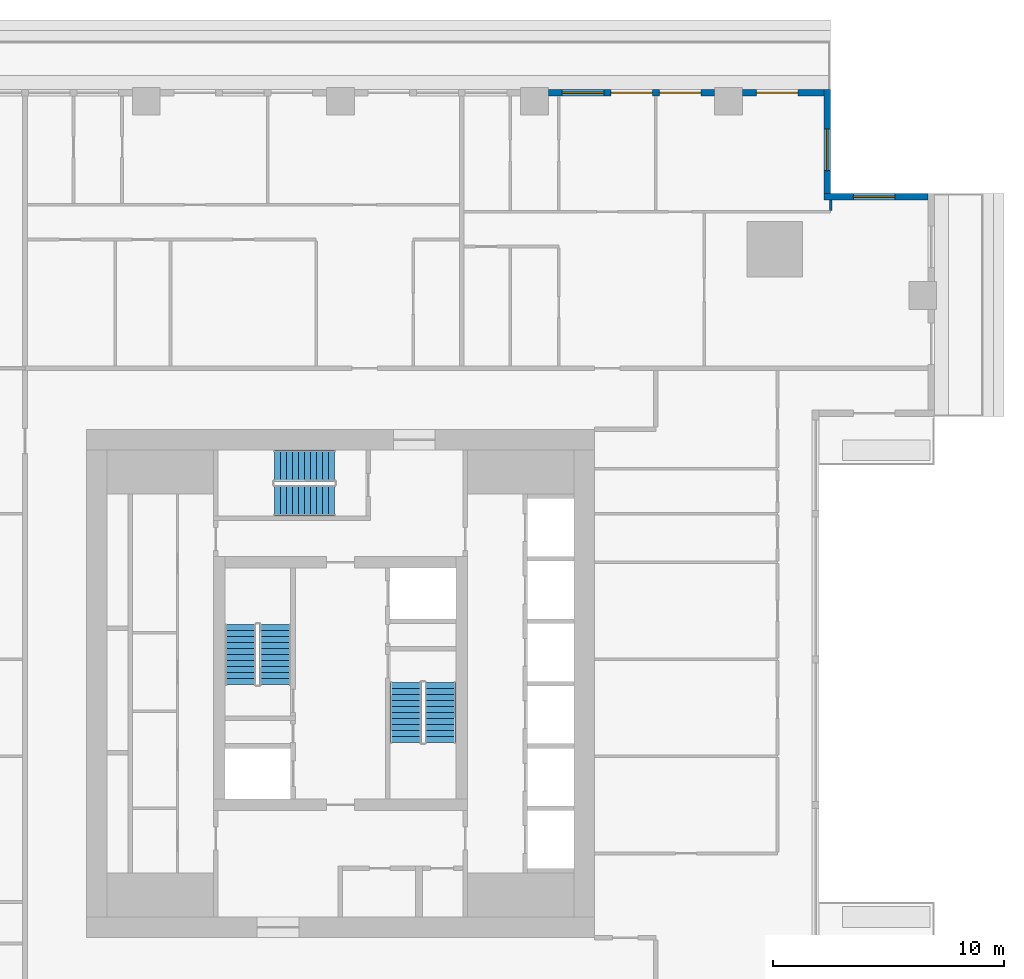
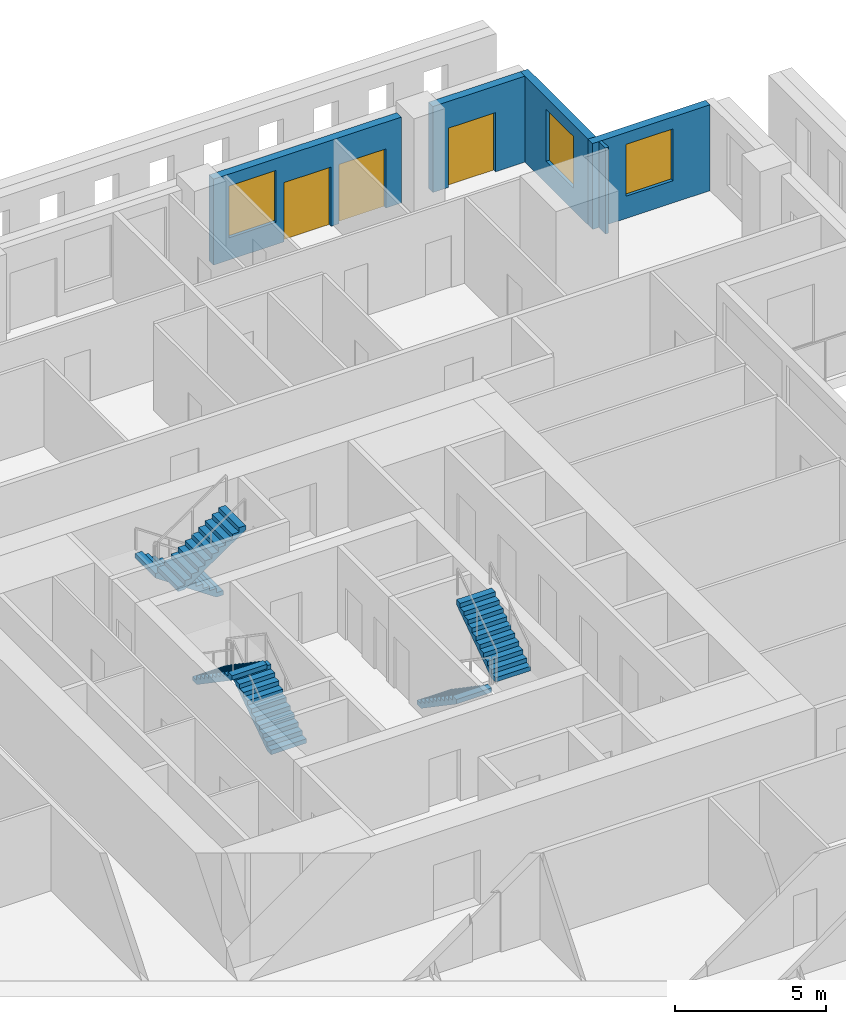
# One storey, part 9 of 15: 6 stair flights, 5 walls, 3 doors, 3 windows, 6 openings, 3 elements without a shape of their own.
"""IFC4 building model written with IfcOpenShell, lengths in metres."""

import ifcopenshell
import ifcopenshell.guid

model = None  # the IFC model being written
_history = None  # IfcOwnerHistory: only IFC2X3 demands one
_inside = {}  # id of a spatial element -> (the spatial element, [elements in it])
_under = {}  # id of a project, library or spatial element -> (it, [spatial elements below it])
_declared = {}  # id of a project -> (the project, [libraries it declares])
_typed = {}  # id of a type object -> (the type object, [elements of that type])
_made_of = {}  # id of a material, layer set ... -> (it, [elements and type objects made of it])


def new_model(schema):
    """Start an empty IFC model of exactly this schema.

    Asked for "IFC4X3", IfcOpenShell would pick the latest addendum, in which some entities
    have other attributes; the version numbers below select the first issue.
    IFC2X3 requires an IfcOwnerHistory on every rooted entity: one is made here for all.
    """
    global model, _history
    if schema == "IFC4X3":
        model = ifcopenshell.file(schema_version=(4, 3, 0, 0))
    else:
        model = ifcopenshell.file(schema=schema)
    _inside.clear()
    _under.clear()
    _declared.clear()
    _typed.clear()
    _made_of.clear()
    _history = None
    if model.schema == "IFC2X3":
        org = make("IfcOrganization", Name="unknown")
        user = make(
            "IfcPersonAndOrganization",
            ThePerson=make("IfcPerson", FamilyName="unknown"),
            TheOrganization=org,
        )
        app = make(
            "IfcApplication",
            ApplicationDeveloper=org,
            Version="unknown",
            ApplicationFullName="unknown",
            ApplicationIdentifier="unknown",
        )
        _history = make(
            "IfcOwnerHistory",
            OwningUser=user,
            OwningApplication=app,
            ChangeAction="ADDED",
            CreationDate=0,
        )
    return model


def make(cls, **values):
    """One entity of the class cls with the attributes given. An attribute that is None is left unset."""
    return model.create_entity(
        cls, **{name: value for name, value in values.items() if value is not None}
    )


def rooted(cls, **values):
    """An entity with a GlobalId (a new one), such as an element, a storey or a relation."""
    return make(cls, GlobalId=ifcopenshell.guid.new(), OwnerHistory=_history, **values)


def si_unit(unit_type, name, prefix=None):
    """IfcSIUnit, for example si_unit("LENGTHUNIT", "METRE", prefix="MILLI")."""
    return make("IfcSIUnit", UnitType=unit_type, Prefix=prefix, Name=name)


def assignment(units):
    """IfcUnitAssignment: the units of a project."""
    return None if units is None else make("IfcUnitAssignment", Units=units)


def point(xyz):
    """IfcCartesianPoint."""
    return None if xyz is None else make("IfcCartesianPoint", Coordinates=xyz)


def direction(xyz):
    """IfcDirection."""
    return None if xyz is None else make("IfcDirection", DirectionRatios=xyz)


def frame(location, z_axis=None, x_axis=None):
    """IfcAxis2Placement3D, a coordinate frame: its origin and axes. An axis left out is left unset."""
    return make(
        "IfcAxis2Placement3D",
        Location=point(location),
        Axis=direction(z_axis),
        RefDirection=direction(x_axis),
    )


def frame_2d(location, x_axis=None):
    """IfcAxis2Placement2D, a coordinate frame in the plane: its origin and x axis."""
    return make(
        "IfcAxis2Placement2D", Location=point(location), RefDirection=direction(x_axis)
    )


def origin():
    """The frame at (0, 0, 0) with its axes left unset."""
    return frame((0.0, 0.0, 0.0))


def place(relative_to, where):
    """IfcLocalPlacement: puts the frame where relative to a parent placement (None: the world)."""
    return make(
        "IfcLocalPlacement", PlacementRelTo=relative_to, RelativePlacement=where
    )


def context(
    kind, dimensions, precision=None, world=None, true_north=None, identifier=None
):
    """IfcGeometricRepresentationContext, for example the 3D "Model" context."""
    return make(
        "IfcGeometricRepresentationContext",
        ContextIdentifier=identifier,
        ContextType=kind,
        CoordinateSpaceDimension=dimensions,
        Precision=precision,
        WorldCoordinateSystem=world,
        TrueNorth=true_north,
    )


def subcontext(parent, identifier, kind, view, scale=None):
    """IfcGeometricRepresentationSubContext, for example "Body" below "Model"."""
    return make(
        "IfcGeometricRepresentationSubContext",
        ContextIdentifier=identifier,
        ContextType=kind,
        ParentContext=parent,
        TargetScale=scale,
        TargetView=view,
    )


def project(units=None, contexts=None):
    """IfcProject with its units and contexts."""
    return rooted(
        "IfcProject",
        Name="project",
        RepresentationContexts=contexts,
        UnitsInContext=assignment(units),
    )


def spatial(cls, under=None, at=None, **own):
    """A site, building, storey or space (cls), placed at a placement, below another one or the project."""
    s = rooted(cls, ObjectPlacement=at, **own)
    if under is not None:
        _under.setdefault(under.id(), (under, []))[1].append(s)
    return s


def polyline(points):
    """IfcPolyline through the points."""
    return make("IfcPolyline", Points=[point(p) for p in points])


def profile(cls, at=None, kind="AREA", **sizes):
    """A parametric profile (cls). Its sizes go by their IFC names, for example OverallWidth=200.0."""
    return make(cls, ProfileType=kind, Position=at, **sizes)


def rectangle(**sizes):
    """IfcRectangleProfileDef."""
    return profile("IfcRectangleProfileDef", **sizes)


def outline(outer, holes=None, kind="AREA"):
    """IfcArbitraryClosedProfileDef: a profile drawn as a closed curve; with holes, ...WithVoids."""
    if holes is None:
        return make("IfcArbitraryClosedProfileDef", ProfileType=kind, OuterCurve=outer)
    return make(
        "IfcArbitraryProfileDefWithVoids",
        ProfileType=kind,
        OuterCurve=outer,
        InnerCurves=holes,
    )


def extrude(swept, where, along, depth):
    """IfcExtrudedAreaSolid: the profile swept, set in the frame where, extruded along a direction by depth."""
    return make(
        "IfcExtrudedAreaSolid",
        SweptArea=swept,
        Position=where,
        ExtrudedDirection=direction(along),
        Depth=depth,
    )


def shape(context_of_items, identifier, shape_type, items):
    """IfcShapeRepresentation: the items that make up one representation, for example the "Body"."""
    return make(
        "IfcShapeRepresentation",
        ContextOfItems=context_of_items,
        RepresentationIdentifier=identifier,
        RepresentationType=shape_type,
        Items=items,
    )


def material(Name=None, Category=None):
    """IfcMaterial."""
    return make("IfcMaterial", Name=Name, Category=Category)


def layer(
    of_material, thickness, ventilated=None, Name=None, Category=None, Priority=None
):
    """IfcMaterialLayer: one layer of a wall or slab, of a material (None: an air gap)."""
    return make(
        "IfcMaterialLayer",
        Material=of_material,
        LayerThickness=thickness,
        IsVentilated=ventilated,
        Name=Name,
        Category=Category,
        Priority=Priority,
    )


def layer_set(layers, Name=None):
    """IfcMaterialLayerSet."""
    return make("IfcMaterialLayerSet", MaterialLayers=layers, LayerSetName=Name)


def made_of(thing, what):
    """Note that an element or type object is made of a material, layer set ...; save() writes the relation."""
    if what is not None:
        _made_of.setdefault(what.id(), (what, []))[1].append(thing)
    return thing


def type_object(cls, material=None, **own):
    """A type object (cls), such as IfcWallType, which elements share."""
    return made_of(rooted(cls, **own), material)


def element(
    cls,
    number,
    at=None,
    inside=None,
    cuts=None,
    type_object=None,
    material=None,
    context=None,
    identifier="Body",
    shape_type=None,
    held_by="IfcProductDefinitionShape",
    body=None,
    shapes=None,
    **own,
):
    """One element of the class cls, such as IfcWall. Its Tag is "e" and its number.

    at: its placement. inside: the storey or other place that contains it. cuts: it is an
    opening in that element (IfcRelVoidsElement). A single representation is given by context,
    identifier, shape_type and body (its items); several are given by shapes. held_by: the class
    of the entity that holds the representations. save() writes the other relations.
    """
    e = rooted(cls, Tag="e%d" % number, ObjectPlacement=at, **own)
    if body is not None:
        shapes = [shape(context, identifier, shape_type, body)]
    if shapes is not None:
        e.Representation = make(held_by, Representations=shapes)
    if inside is not None:
        _inside.setdefault(inside.id(), (inside, []))[1].append(e)
    if cuts is not None:
        rooted(
            "IfcRelVoidsElement", RelatingBuildingElement=cuts, RelatedOpeningElement=e
        )
    if type_object is not None:
        _typed.setdefault(type_object.id(), (type_object, []))[1].append(e)
    return made_of(e, material)


def fill(opening, filler):
    """IfcRelFillsElement: the door or window that sits in an opening."""
    return rooted(
        "IfcRelFillsElement",
        RelatingOpeningElement=opening,
        RelatedBuildingElement=filler,
    )


def aggregate(whole, parts):
    """IfcRelAggregates: a whole, such as a stair, and the parts it consists of."""
    return rooted("IfcRelAggregates", RelatingObject=whole, RelatedObjects=parts)


def save(model, path):
    """Write the relations noted so far, then the file.

    IfcRelAggregates (storeys below a building ...), IfcRelContainedInSpatialStructure (elements
    in a storey), IfcRelDefinesByType, IfcRelAssociatesMaterial and IfcRelDeclares: one each for
    every whole, place, type object, material and project.
    """
    for whole, parts in _under.values():
        aggregate(whole, parts)
    for where, things in _inside.values():
        rooted(
            "IfcRelContainedInSpatialStructure",
            RelatedElements=things,
            RelatingStructure=where,
        )
    for kind, things in _typed.values():
        rooted("IfcRelDefinesByType", RelatedObjects=things, RelatingType=kind)
    for what, things in _made_of.values():
        rooted("IfcRelAssociatesMaterial", RelatedObjects=things, RelatingMaterial=what)
    for by, libraries in _declared.values():
        rooted("IfcRelDeclares", RelatingContext=by, RelatedDefinitions=libraries)
    model.write(path)


model = new_model("IFC4")

# Units and contexts
model_context = context("Model", 3, precision=1e-05, world=origin(), true_north=direction((0.0, 1.0)))
body_context = subcontext(model_context, "Body", "Model", "MODEL_VIEW")
ifc_project = project(units=[si_unit("LENGTHUNIT", "METRE"), si_unit("AREAUNIT", "SQUARE_METRE"), si_unit("VOLUMEUNIT", "CUBIC_METRE"), si_unit("PLANEANGLEUNIT", "RADIAN"), si_unit("MASSUNIT", "GRAM", prefix="KILO")], contexts=[model_context])

# Site, building, storey
site_placement = place(None, origin())
site = spatial("IfcSite", under=ifc_project, at=site_placement, CompositionType="ELEMENT")
building_placement = place(site_placement, origin())
building = spatial("IfcBuilding", under=site, at=building_placement, Name="Khepri Terraces", CompositionType="ELEMENT")
storey_placement = place(building_placement, frame((0.0, 0.0, 219.60009765625)))
storey = spatial("IfcBuildingStorey", under=building, at=storey_placement, Name="L52", CompositionType="ELEMENT", Elevation=219.60009765625)

# Wall, opening, window
ifc_material_1 = material(Name="Precast concrete C50/60 warm stone", Category="masonry")
ifc_layer_1 = layer(ifc_material_1, 0.300048828125, Name="Precast concrete C50/60 warm stone", Category="masonry")
ifc_layer_set_1 = layer_set([ifc_layer_1], Name="Precast concrete C50/60 warm stone")
wall_type_1 = type_object("IfcWallType", Name="WL-EXT-PRECAST-300", PredefinedType="STANDARD", material=ifc_layer_set_1)
wall_1_placement = place(storey_placement, frame((25.419921875, 21.070068359375, 0.0), z_axis=(0.0, 0.0, 1.0), x_axis=(-1.0, 0.0, 0.0)))
wall_1 = element("IfcWall", 1, at=wall_1_placement, inside=storey, type_object=wall_type_1, Name="External wall L52 N", PredefinedType="STANDARD", context=body_context, shape_type="SweptSolid", body=[
    extrude(rectangle(XDim=4.5, YDim=0.300048828125, at=frame_2d((2.25, 0.0))), origin(), (0.0, 0.0, 1.0), 3.47998046875),
])
opening_1_placement = place(wall_1_placement, frame((1.419921875, 0.0, 0.89990234375)))
opening_1 = element("IfcOpeningElement", 2, at=opening_1_placement, cuts=wall_1, Name="Opening W1", PredefinedType="OPENING", context=body_context, shape_type="SweptSolid", body=[
    extrude(rectangle(XDim=1.800048828125, YDim=2.10009765625, at=frame_2d((0.89990234375, 1.050048828125))), frame((0.0, 0.16015625, 0.0), z_axis=(0.0, -1.0, 0.0), x_axis=(1.0, 0.0, 0.0)), (0.0, 0.0, 1.0), 0.320068359375),
])
ifc_material_2 = material(Name="Clear glass", Category="glass")
window_type = type_object("IfcWindowType", Name="WIN-RES-1800x2100", PartitioningType="SINGLE_PANEL", PredefinedType="WINDOW", material=ifc_material_2)
window_1_placement = place(opening_1_placement, origin())
window_1 = element("IfcWindow", 3, at=window_1_placement, inside=storey, type_object=window_type, Name="Window L52 N", OverallHeight=2.10009765625, OverallWidth=1.800048828125, PartitioningType="SINGLE_PANEL", PredefinedType="WINDOW", context=body_context, shape_type="SweptSolid", body=[
    extrude(rectangle(XDim=1.800048828125, YDim=2.10009765625, at=frame_2d((0.89990234375, 1.050048828125))), frame((0.0, 0.030029296875, 0.0), z_axis=(0.0, -1.0, 0.0), x_axis=(1.0, 0.0, 0.0)), (0.0, 0.0, 1.0), 0.06005859375),
])
fill(opening_1, window_1)

wall_2_placement = place(storey_placement, frame((21.070068359375, 21.219970703125, 0.0), z_axis=(0.0, 0.0, 1.0), x_axis=(0.0, 1.0, 0.0)))
wall_2 = element("IfcWall", 4, at=wall_2_placement, inside=storey, type_object=wall_type_1, Name="External wall L52 E", PredefinedType="STANDARD", context=body_context, shape_type="SweptSolid", body=[
    extrude(rectangle(XDim=4.5, YDim=0.300048828125, at=frame_2d((2.25, 0.0))), origin(), (0.0, 0.0, 1.0), 3.47998046875),
])
opening_2_placement = place(wall_2_placement, frame((0.97998046875, 0.0, 0.89990234375)))
opening_2 = element("IfcOpeningElement", 5, at=opening_2_placement, cuts=wall_2, Name="Opening W1", PredefinedType="OPENING", context=body_context, shape_type="SweptSolid", body=[
    extrude(rectangle(XDim=1.800048828125, YDim=2.10009765625, at=frame_2d((0.89990234375, 1.050048828125))), frame((0.0, 0.16015625, 0.0), z_axis=(0.0, -1.0, 0.0), x_axis=(1.0, 0.0, 0.0)), (0.0, 0.0, 1.0), 0.320068359375),
])
window_2_placement = place(opening_2_placement, origin())
window_2 = element("IfcWindow", 6, at=window_2_placement, inside=storey, type_object=window_type, Name="Window L52 E", OverallHeight=2.10009765625, OverallWidth=1.800048828125, PartitioningType="SINGLE_PANEL", PredefinedType="WINDOW", context=body_context, shape_type="SweptSolid", body=[
    extrude(rectangle(XDim=1.800048828125, YDim=2.10009765625, at=frame_2d((0.89990234375, 1.050048828125))), frame((0.0, 0.030029296875, 0.0), z_axis=(0.0, -1.0, 0.0), x_axis=(1.0, 0.0, 0.0)), (0.0, 0.0, 1.0), 0.06005859375),
])
fill(opening_2, window_2)

# Wall, opening, door
wall_3_placement = place(storey_placement, frame((20.919921875, 25.570068359375, 0.0), z_axis=(0.0, 0.0, 1.0), x_axis=(-1.0, 0.0, 0.0)))
wall_3 = element("IfcWall", 7, at=wall_3_placement, inside=storey, type_object=wall_type_1, Name="External wall L52 N", PredefinedType="STANDARD", context=body_context, shape_type="SweptSolid", body=[
    extrude(rectangle(XDim=3.52001953125, YDim=0.300048828125, at=frame_2d((1.760009765625, 0.0))), origin(), (0.0, 0.0, 1.0), 3.47998046875),
])
opening_3_placement = place(wall_3_placement, frame((1.1201171875, 0.0, 0.0)))
opening_3 = element("IfcOpeningElement", 8, at=opening_3_placement, cuts=wall_3, Name="Opening ED-L52-06", PredefinedType="OPENING", context=body_context, shape_type="SweptSolid", body=[
    extrude(rectangle(XDim=1.800048828125, YDim=2.39990234375, at=frame_2d((0.89990234375, 1.199951171875))), frame((0.0, 0.16015625, 0.0), z_axis=(0.0, -1.0, 0.0), x_axis=(1.0, 0.0, 0.0)), (0.0, 0.0, 1.0), 0.320068359375),
])
ifc_material_3 = material(Name="Anodised aluminium bronze glazed door", Category="aluminium")
door_type = type_object("IfcDoorType", Name="DR-BAL-SLIDE-1800x2400", OperationType="NOTDEFINED", PredefinedType="DOOR", material=ifc_material_3)
door_1_placement = place(opening_3_placement, origin())
door_1 = element("IfcDoor", 9, at=door_1_placement, inside=storey, type_object=door_type, Name="Balcony door L52 N", OperationType="SLIDING_TO_RIGHT", OverallHeight=2.39990234375, OverallWidth=1.800048828125, PredefinedType="DOOR", context=body_context, shape_type="SweptSolid", body=[
    extrude(rectangle(XDim=1.800048828125, YDim=2.39990234375, at=frame_2d((0.89990234375, 1.199951171875))), frame((0.0, 0.02490234375, 0.0), z_axis=(0.0, -1.0, 0.0), x_axis=(1.0, 0.0, 0.0)), (0.0, 0.0, 1.0), 0.050048828125),
])
fill(opening_3, door_1)

# Wall, openings, doors, window
wall_4_placement = place(storey_placement, frame((16.199951171875, 25.570068359375, 0.0), z_axis=(0.0, 0.0, 1.0), x_axis=(-1.0, 0.0, 0.0)))
wall_4 = element("IfcWall", 10, at=wall_4_placement, inside=storey, type_object=wall_type_1, Name="External wall L52 N", PredefinedType="STANDARD", context=body_context, shape_type="SweptSolid", body=[
    extrude(rectangle(XDim=7.199951171875, YDim=0.300048828125, at=frame_2d((3.60009765625, 0.0))), origin(), (0.0, 0.0, 1.0), 3.47998046875),
])
opening_4_placement = place(wall_4_placement, frame((0.60009765625, 0.0, 0.0)))
opening_4 = element("IfcOpeningElement", 11, at=opening_4_placement, cuts=wall_4, Name="Opening ED-L52-07", PredefinedType="OPENING", context=body_context, shape_type="SweptSolid", body=[
    extrude(rectangle(XDim=1.800048828125, YDim=2.39990234375, at=frame_2d((0.89990234375, 1.199951171875))), frame((0.0, 0.16015625, 0.0), z_axis=(0.0, -1.0, 0.0), x_axis=(1.0, 0.0, 0.0)), (0.0, 0.0, 1.0), 0.320068359375),
])
opening_5_placement = place(wall_4_placement, frame((2.699951171875, 0.0, 0.0)))
opening_5 = element("IfcOpeningElement", 12, at=opening_5_placement, cuts=wall_4, Name="Opening ED-L52-08", PredefinedType="OPENING", context=body_context, shape_type="SweptSolid", body=[
    extrude(rectangle(XDim=1.800048828125, YDim=2.39990234375, at=frame_2d((0.89990234375, 1.199951171875))), frame((0.0, 0.16015625, 0.0), z_axis=(0.0, -1.0, 0.0), x_axis=(1.0, 0.0, 0.0)), (0.0, 0.0, 1.0), 0.320068359375),
])
opening_6_placement = place(wall_4_placement, frame((4.800048828125, 0.0, 0.89990234375)))
opening_6 = element("IfcOpeningElement", 13, at=opening_6_placement, cuts=wall_4, Name="Opening W1", PredefinedType="OPENING", context=body_context, shape_type="SweptSolid", body=[
    extrude(rectangle(XDim=1.800048828125, YDim=2.10009765625, at=frame_2d((0.89990234375, 1.050048828125))), frame((0.0, 0.16015625, 0.0), z_axis=(0.0, -1.0, 0.0), x_axis=(1.0, 0.0, 0.0)), (0.0, 0.0, 1.0), 0.320068359375),
])
door_2_placement = place(opening_4_placement, origin())
door_2 = element("IfcDoor", 14, at=door_2_placement, inside=storey, type_object=door_type, Name="Balcony door L52 N", OperationType="SLIDING_TO_LEFT", OverallHeight=2.39990234375, OverallWidth=1.800048828125, PredefinedType="DOOR", context=body_context, shape_type="SweptSolid", body=[
    extrude(rectangle(XDim=1.800048828125, YDim=2.39990234375, at=frame_2d((0.89990234375, 1.199951171875))), frame((0.0, 0.02490234375, 0.0), z_axis=(0.0, -1.0, 0.0), x_axis=(1.0, 0.0, 0.0)), (0.0, 0.0, 1.0), 0.050048828125),
])
fill(opening_4, door_2)
door_3_placement = place(opening_5_placement, origin())
door_3 = element("IfcDoor", 15, at=door_3_placement, inside=storey, type_object=door_type, Name="Balcony door L52 N", OperationType="SLIDING_TO_RIGHT", OverallHeight=2.39990234375, OverallWidth=1.800048828125, PredefinedType="DOOR", context=body_context, shape_type="SweptSolid", body=[
    extrude(rectangle(XDim=1.800048828125, YDim=2.39990234375, at=frame_2d((0.89990234375, 1.199951171875))), frame((0.0, 0.02490234375, 0.0), z_axis=(0.0, -1.0, 0.0), x_axis=(1.0, 0.0, 0.0)), (0.0, 0.0, 1.0), 0.050048828125),
])
fill(opening_5, door_3)
window_3_placement = place(opening_6_placement, origin())
window_3 = element("IfcWindow", 16, at=window_3_placement, inside=storey, type_object=window_type, Name="Window L52 N", OverallHeight=2.10009765625, OverallWidth=1.800048828125, PartitioningType="SINGLE_PANEL", PredefinedType="WINDOW", context=body_context, shape_type="SweptSolid", body=[
    extrude(rectangle(XDim=1.800048828125, YDim=2.10009765625, at=frame_2d((0.89990234375, 1.050048828125))), frame((0.0, 0.030029296875, 0.0), z_axis=(0.0, -1.0, 0.0), x_axis=(1.0, 0.0, 0.0)), (0.0, 0.0, 1.0), 0.06005859375),
])
fill(opening_6, window_3)

# Wall
ifc_material_4 = material(Name="Gypsum plasterboard partition")
ifc_layer_2 = layer(ifc_material_4, 0.1201171875, Name="Gypsum plasterboard partition")
ifc_layer_set_2 = layer_set([ifc_layer_2], Name="Gypsum plasterboard partition")
wall_type_2 = type_object("IfcWallType", Name="WL-PART-120", PredefinedType="PARTITIONING", material=ifc_layer_set_2)
wall_5_placement = place(storey_placement, frame((21.218994140625, 20.47998046875, 0.0), z_axis=(0.0, 0.0, 1.0), x_axis=(0.0, 1.0, 0.0)))
element("IfcWall", 17, at=wall_5_placement, inside=storey, type_object=wall_type_2, Name="Partition P-088 L52", PredefinedType="PARTITIONING", context=body_context, shape_type="SweptSolid", body=[
    extrude(rectangle(XDim=0.44091796875, YDim=0.1201171875, at=frame_2d((0.220458984375, 0.0))), origin(), (0.0, 0.0, 1.0), 3.47998046875),
])

# Stair, stair flights
ifc_material_5 = material(Name="Concrete C40/50", Category="concrete")
stair_type = type_object("IfcStairType", Name="STAIR-RC-22R", PredefinedType="HALF_TURN_STAIR", material=ifc_material_5)
stair_1_placement = place(storey_placement, origin())
stair_1 = element("IfcStair", 18, at=stair_1_placement, inside=storey, type_object=stair_type, Name="L52 Exit Stair ST-1", PredefinedType="HALF_TURN_STAIR")
stair_flight_type = type_object("IfcStairFlightType", Name="SFL-RC-177.3", PredefinedType="STRAIGHT", material=ifc_material_5)
stair_flight_1_placement = place(storey_placement, frame((-2.824951171875, -0.050048828125, 0.0), z_axis=(0.0, 0.0, 1.0), x_axis=(0.0, 1.0, 0.0)))
stair_flight_1 = element("IfcStairFlight", 19, at=stair_flight_1_placement, type_object=stair_flight_type, Name="ST-1 flight 1", NumberOfRisers=11, NumberOfTreads=10, PredefinedType="STRAIGHT", RiserHeight=0.177272727, TreadLength=0.26, context=body_context, shape_type="SweptSolid", body=[
    extrude(outline(polyline([(0.0, 0.0), (0.0, 0.17724609375), (0.260009765625, 0.17724609375), (0.260009765625, 0.3544921875), (0.52001953125, 0.3544921875), (0.52001953125, 0.53173828125), (0.780029296875, 0.53173828125), (0.780029296875, 0.708984375), (1.0400390625, 0.708984375), (1.0400390625, 0.886474609375), (1.300048828125, 0.886474609375), (1.300048828125, 1.063720703125), (1.56005859375, 1.063720703125), (1.56005859375, 1.240966796875), (1.820068359375, 1.240966796875), (1.820068359375, 1.418212890625), (2.080078125, 1.418212890625), (2.080078125, 1.595458984375), (2.340087890625, 1.595458984375), (2.340087890625, 1.772705078125), (2.60009765625, 1.772705078125), (2.60009765625, 1.949951171875), (2.60009765625, 1.59130859375), (0.26611328125, 0.0), (0.0, 0.0)])), frame((0.0, 0.675048828125, 0.0), z_axis=(0.0, -1.0, 0.0), x_axis=(1.0, 0.0, 0.0)), (0.0, 0.0, 1.0), 1.35009765625),
])
stair_flight_2_placement = place(storey_placement, frame((-4.324951171875, 2.550048828125, 1.949951171875), z_axis=(0.0, 0.0, 1.0), x_axis=(0.0, -1.0, 0.0)))
stair_flight_2 = element("IfcStairFlight", 20, at=stair_flight_2_placement, type_object=stair_flight_type, Name="ST-1 flight 2", NumberOfRisers=11, NumberOfTreads=10, PredefinedType="STRAIGHT", RiserHeight=0.177272727, TreadLength=0.26, context=body_context, shape_type="SweptSolid", body=[
    extrude(outline(polyline([(0.0, 0.0), (0.0, 0.17724609375), (0.260009765625, 0.17724609375), (0.260009765625, 0.3544921875), (0.52001953125, 0.3544921875), (0.52001953125, 0.53173828125), (0.780029296875, 0.53173828125), (0.780029296875, 0.708984375), (1.0400390625, 0.708984375), (1.0400390625, 0.886474609375), (1.300048828125, 0.886474609375), (1.300048828125, 1.063720703125), (1.56005859375, 1.063720703125), (1.56005859375, 1.240966796875), (1.820068359375, 1.240966796875), (1.820068359375, 1.418212890625), (2.080078125, 1.418212890625), (2.080078125, 1.595458984375), (2.340087890625, 1.595458984375), (2.340087890625, 1.772705078125), (2.60009765625, 1.772705078125), (2.60009765625, 1.949951171875), (2.60009765625, 1.59130859375), (0.26611328125, 0.0), (0.0, 0.0)])), frame((0.0, 0.675048828125, 0.0), z_axis=(0.0, -1.0, 0.0), x_axis=(1.0, 0.0, 0.0)), (0.0, 0.0, 1.0), 1.35009765625),
])
aggregate(stair_1, [stair_flight_1, stair_flight_2])

stair_2_placement = place(storey_placement, origin())
stair_2 = element("IfcStair", 21, at=stair_2_placement, inside=storey, type_object=stair_type, Name="L52 Exit Stair ST-2", PredefinedType="HALF_TURN_STAIR")
stair_flight_3_placement = place(storey_placement, frame((2.824951171875, 0.050048828125, 0.0), z_axis=(0.0, 0.0, 1.0), x_axis=(0.0, -1.0, 0.0)))
stair_flight_3 = element("IfcStairFlight", 22, at=stair_flight_3_placement, type_object=stair_flight_type, Name="ST-2 flight 1", NumberOfRisers=11, NumberOfTreads=10, PredefinedType="STRAIGHT", RiserHeight=0.177272727, TreadLength=0.26, context=body_context, shape_type="SweptSolid", body=[
    extrude(outline(polyline([(0.0, 0.0), (0.0, 0.17724609375), (0.260009765625, 0.17724609375), (0.260009765625, 0.3544921875), (0.52001953125, 0.3544921875), (0.52001953125, 0.53173828125), (0.780029296875, 0.53173828125), (0.780029296875, 0.708984375), (1.0400390625, 0.708984375), (1.0400390625, 0.886474609375), (1.300048828125, 0.886474609375), (1.300048828125, 1.063720703125), (1.56005859375, 1.063720703125), (1.56005859375, 1.240966796875), (1.820068359375, 1.240966796875), (1.820068359375, 1.418212890625), (2.080078125, 1.418212890625), (2.080078125, 1.595458984375), (2.340087890625, 1.595458984375), (2.340087890625, 1.772705078125), (2.60009765625, 1.772705078125), (2.60009765625, 1.949951171875), (2.60009765625, 1.59130859375), (0.26611328125, 0.0), (0.0, 0.0)])), frame((0.0, 0.675048828125, 0.0), z_axis=(0.0, -1.0, 0.0), x_axis=(1.0, 0.0, 0.0)), (0.0, 0.0, 1.0), 1.35009765625),
])
stair_flight_4_placement = place(storey_placement, frame((4.324951171875, -2.550048828125, 1.949951171875), z_axis=(0.0, 0.0, 1.0), x_axis=(0.0, 1.0, 0.0)))
stair_flight_4 = element("IfcStairFlight", 23, at=stair_flight_4_placement, type_object=stair_flight_type, Name="ST-2 flight 2", NumberOfRisers=11, NumberOfTreads=10, PredefinedType="STRAIGHT", RiserHeight=0.177272727, TreadLength=0.26, context=body_context, shape_type="SweptSolid", body=[
    extrude(outline(polyline([(0.0, 0.0), (0.0, 0.17724609375), (0.260009765625, 0.17724609375), (0.260009765625, 0.3544921875), (0.52001953125, 0.3544921875), (0.52001953125, 0.53173828125), (0.780029296875, 0.53173828125), (0.780029296875, 0.708984375), (1.0400390625, 0.708984375), (1.0400390625, 0.886474609375), (1.300048828125, 0.886474609375), (1.300048828125, 1.063720703125), (1.56005859375, 1.063720703125), (1.56005859375, 1.240966796875), (1.820068359375, 1.240966796875), (1.820068359375, 1.418212890625), (2.080078125, 1.418212890625), (2.080078125, 1.595458984375), (2.340087890625, 1.595458984375), (2.340087890625, 1.772705078125), (2.60009765625, 1.772705078125), (2.60009765625, 1.949951171875), (2.60009765625, 1.59130859375), (0.26611328125, 0.0), (0.0, 0.0)])), frame((0.0, 0.675048828125, 0.0), z_axis=(0.0, -1.0, 0.0), x_axis=(1.0, 0.0, 0.0)), (0.0, 0.0, 1.0), 1.35009765625),
])
aggregate(stair_2, [stair_flight_3, stair_flight_4])

stair_3_placement = place(storey_placement, origin())
stair_3 = element("IfcStair", 24, at=stair_3_placement, inside=storey, type_object=stair_type, Name="L52 Exit Stair ST-3", PredefinedType="HALF_TURN_STAIR")
stair_flight_5_placement = place(storey_placement, frame((-0.25, 9.425048828125, 0.0), z_axis=(0.0, 0.0, 1.0), x_axis=(-1.0, 0.0, 0.0)))
stair_flight_5 = element("IfcStairFlight", 25, at=stair_flight_5_placement, type_object=stair_flight_type, Name="ST-3 flight 1", NumberOfRisers=11, NumberOfTreads=10, PredefinedType="STRAIGHT", RiserHeight=0.177272727, TreadLength=0.26, context=body_context, shape_type="SweptSolid", body=[
    extrude(outline(polyline([(0.0, 0.0), (0.0, 0.17724609375), (0.260009765625, 0.17724609375), (0.260009765625, 0.3544921875), (0.52001953125, 0.3544921875), (0.52001953125, 0.53173828125), (0.780029296875, 0.53173828125), (0.780029296875, 0.708984375), (1.0400390625, 0.708984375), (1.0400390625, 0.886474609375), (1.300048828125, 0.886474609375), (1.300048828125, 1.063720703125), (1.56005859375, 1.063720703125), (1.56005859375, 1.240966796875), (1.820068359375, 1.240966796875), (1.820068359375, 1.418212890625), (2.080078125, 1.418212890625), (2.080078125, 1.595458984375), (2.340087890625, 1.595458984375), (2.340087890625, 1.772705078125), (2.60009765625, 1.772705078125), (2.60009765625, 1.949951171875), (2.60009765625, 1.59130859375), (0.26611328125, 0.0), (0.0, 0.0)])), frame((0.0, 0.675048828125, 0.0), z_axis=(0.0, -1.0, 0.0), x_axis=(1.0, 0.0, 0.0)), (0.0, 0.0, 1.0), 1.35009765625),
])
stair_flight_6_placement = place(storey_placement, frame((-2.85009765625, 7.925048828125, 1.949951171875), z_axis=(0.0, 0.0, 1.0), x_axis=(1.0, 0.0, 0.0)))
stair_flight_6 = element("IfcStairFlight", 26, at=stair_flight_6_placement, type_object=stair_flight_type, Name="ST-3 flight 2", NumberOfRisers=11, NumberOfTreads=10, PredefinedType="STRAIGHT", RiserHeight=0.177272727, TreadLength=0.26, context=body_context, shape_type="SweptSolid", body=[
    extrude(outline(polyline([(0.0, 0.0), (0.0, 0.17724609375), (0.260009765625, 0.17724609375), (0.260009765625, 0.3544921875), (0.52001953125, 0.3544921875), (0.52001953125, 0.53173828125), (0.780029296875, 0.53173828125), (0.780029296875, 0.708984375), (1.0400390625, 0.708984375), (1.0400390625, 0.886474609375), (1.300048828125, 0.886474609375), (1.300048828125, 1.063720703125), (1.56005859375, 1.063720703125), (1.56005859375, 1.240966796875), (1.820068359375, 1.240966796875), (1.820068359375, 1.418212890625), (2.080078125, 1.418212890625), (2.080078125, 1.595458984375), (2.340087890625, 1.595458984375), (2.340087890625, 1.772705078125), (2.60009765625, 1.772705078125), (2.60009765625, 1.949951171875), (2.60009765625, 1.59130859375), (0.26611328125, 0.0), (0.0, 0.0)])), frame((0.0, 0.675048828125, 0.0), z_axis=(0.0, -1.0, 0.0), x_axis=(1.0, 0.0, 0.0)), (0.0, 0.0, 1.0), 1.35009765625),
])
aggregate(stair_3, [stair_flight_5, stair_flight_6])

save(model, "model.ifc")
